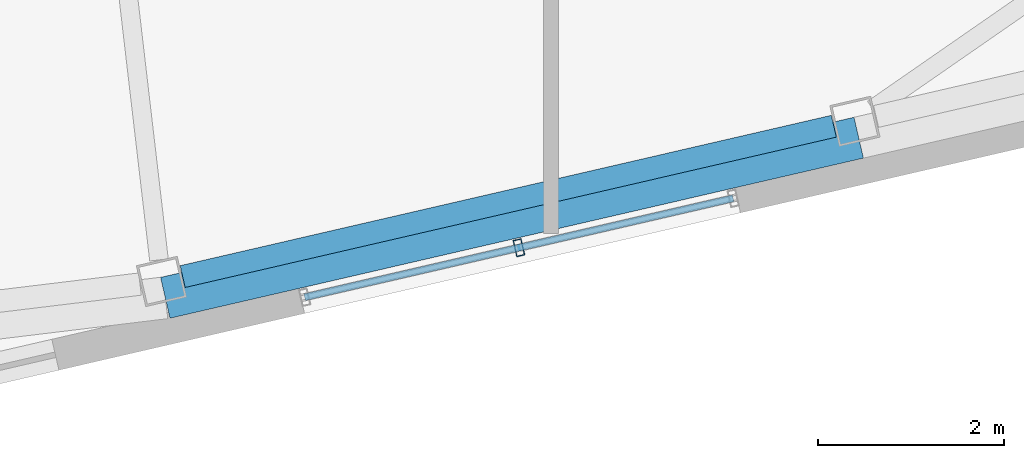
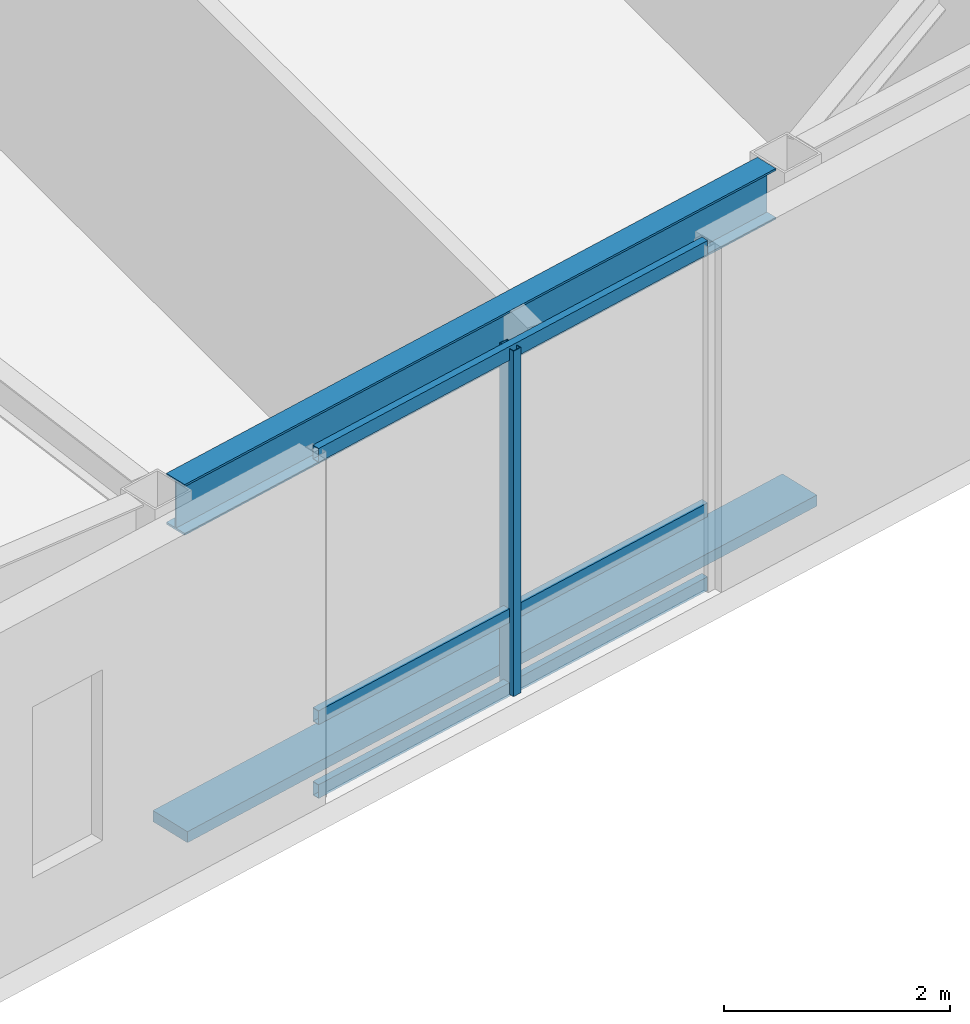
# One storey, part 9 of 22: 5 members, 1 beam, 1 element without a shape of its own.
"""IFC4 building model written with IfcOpenShell, lengths in metres."""

from ifc_helpers import new_model, si_unit, direction, frame, origin, origin_2d, place, context, subcontext, project, spatial, rectangle, hollow_rectangle, i_section, extrude, material, layer, layer_set, material_profile, profile_set, type_object, element, aggregate, save


model = new_model("IFC4")

# Units and contexts
model_context = context("Model", 3, precision=1e-05, world=origin(), true_north=direction((0.0, 1.0)))
body_context = subcontext(model_context, "Body", "Model", "MODEL_VIEW")
ifc_project = project(units=[si_unit("LENGTHUNIT", "METRE"), si_unit("AREAUNIT", "SQUARE_METRE"), si_unit("VOLUMEUNIT", "CUBIC_METRE"), si_unit("PLANEANGLEUNIT", "RADIAN"), si_unit("MASSUNIT", "GRAM", prefix="KILO")], contexts=[model_context])

# Site, building, storey
site_placement = place(None, origin())
site = spatial("IfcSite", under=ifc_project, at=site_placement, CompositionType="ELEMENT")
building_placement = place(site_placement, origin())
building = spatial("IfcBuilding", under=site, at=building_placement, Name="Tavrogorsk Clinical Tower", CompositionType="ELEMENT")
storey_placement = place(building_placement, frame((0.0, 0.0, 313.0)))
storey = spatial("IfcBuildingStorey", under=building, at=storey_placement, Name="L73", CompositionType="ELEMENT", Elevation=313.0)

# Member
ifc_material_1 = material(Name="Anodised aluminium alloy AW-6063", Category="aluminium")
ifc_material_profile_1 = material_profile(ifc_material_1, rectangle(XDim=0.449951171875, YDim=0.1201171875, at=origin_2d()), Name="ALU-SUNSHADE-450x120")
ifc_profile_set_1 = profile_set([ifc_material_profile_1], Name="Anodised aluminium alloy AW-6063")
member_type_1 = type_object("IfcMemberType", Name="ChicagoSunshade_450x120", PredefinedType="USERDEFINED", material=ifc_profile_set_1)
member_1_placement = place(storey_placement, frame((6.313232421875, -22.572509765625, 0.179931640625), z_axis=(0.97436370007, 0.224978621176, 0.0), x_axis=(-0.224978621176, 0.97436370007, 0.0)))
element("IfcMember", 1, at=member_1_placement, inside=storey, type_object=member_type_1, Name="L73 South Aluminium Sunshade S5", ObjectType="SUNSHADE", PredefinedType="USERDEFINED", context=body_context, shape_type="SweptSolid", body=[
    extrude(rectangle(XDim=0.449951171875, YDim=0.1201171875, at=origin_2d()), origin(), (0.0, 0.0, 1.0), 7.63427734375),
])

# Curtain wall, members
ifc_material_2 = material(Name="Anodised aluminium and triple IGU glazing", Category="aluminium")
ifc_layer = layer(ifc_material_2, 0.179931640625)
ifc_layer_set = layer_set([ifc_layer], Name="Anodised aluminium and triple IGU glazing")
curtain_wall_type = type_object("IfcCurtainWallType", Name="CW3_SouthSlot", PredefinedType="NOTDEFINED", material=ifc_layer_set)
curtain_wall_placement = place(storey_placement, origin())
curtain_wall = element("IfcCurtainWall", 2, at=curtain_wall_placement, inside=storey, type_object=curtain_wall_type, Name="L73 Curtain Wall CW-L73-S-SLOT-2", PredefinedType="NOTDEFINED")
ifc_material_3 = material(Name="Anodised aluminium alloy AW-6060", Category="aluminium")
ifc_material_profile_2 = material_profile(ifc_material_3, hollow_rectangle(XDim=0.090087890625, YDim=0.179931640625, WallThickness=0.00634765625, at=origin_2d()), Name="RHS-180x90x6.3")
ifc_profile_set_2 = profile_set([ifc_material_profile_2], Name="Anodised aluminium alloy AW-6060")
member_type_2 = type_object("IfcMemberType", Name="CwMullion_180x90", PredefinedType="MULLION", material=ifc_profile_set_2)
member_2_placement = place(storey_placement, frame((10.106689453125, -22.03515625, 0.0), z_axis=(0.0, 0.0, 1.0), x_axis=(0.974370057377, 0.224951086434, 0.0)))
member_2 = element("IfcMember", 3, at=member_2_placement, type_object=member_type_2, Name="CW-L73-S-SLOT-2 Mullion 2", PredefinedType="MULLION", context=body_context, shape_type="SweptSolid", body=[
    extrude(hollow_rectangle(XDim=0.090087890625, YDim=0.179931640625, WallThickness=0.00634765625, at=origin_2d()), origin(), (0.0, 0.0, 1.0), 3.739990234375),
])
ifc_material_4 = material(Name="Anodised aluminium alloy AW-6060", Category="aluminium")
ifc_material_profile_3 = material_profile(ifc_material_4, hollow_rectangle(XDim=0.074951171875, YDim=0.14990234375, WallThickness=0.0048828125, at=origin_2d()), Name="RHS-150x75x5")
ifc_profile_set_3 = profile_set([ifc_material_profile_3], Name="Anodised aluminium alloy AW-6060")
member_type_3 = type_object("IfcMemberType", Name="CwTransom_150x75", PredefinedType="USERDEFINED", material=ifc_profile_set_3)
member_3_placement = place(storey_placement, frame((7.80810546875, -22.56591796875, 0.050048828125), z_axis=(0.974372877948, 0.22493886885, 0.0), x_axis=(-0.22493886885, 0.974372877948, 0.0)))
member_3 = element("IfcMember", 4, at=member_3_placement, type_object=member_type_3, Name="CW-L73-S-SLOT-2 Transom 1", ObjectType="TRANSOM", PredefinedType="USERDEFINED", context=body_context, shape_type="SweptSolid", body=[
    extrude(hollow_rectangle(XDim=0.074951171875, YDim=0.14990234375, WallThickness=0.0048828125, at=origin_2d()), origin(), (0.0, 0.0, 1.0), 4.718017578125),
])
member_4_placement = place(storey_placement, frame((7.80810546875, -22.56591796875, 0.85009765625), z_axis=(0.974372877948, 0.22493886885, 0.0), x_axis=(-0.22493886885, 0.974372877948, 0.0)))
member_4 = element("IfcMember", 5, at=member_4_placement, type_object=member_type_3, Name="CW-L73-S-SLOT-2 Transom 2", ObjectType="TRANSOM", PredefinedType="USERDEFINED", context=body_context, shape_type="SweptSolid", body=[
    extrude(hollow_rectangle(XDim=0.074951171875, YDim=0.14990234375, WallThickness=0.0048828125, at=origin_2d()), origin(), (0.0, 0.0, 1.0), 4.718017578125),
])
member_5_placement = place(storey_placement, frame((7.80810546875, -22.56591796875, 3.68994140625), z_axis=(0.974372877948, 0.22493886885, 0.0), x_axis=(-0.22493886885, 0.974372877948, 0.0)))
member_5 = element("IfcMember", 6, at=member_5_placement, type_object=member_type_3, Name="CW-L73-S-SLOT-2 Transom 3", ObjectType="TRANSOM", PredefinedType="USERDEFINED", context=body_context, shape_type="SweptSolid", body=[
    extrude(hollow_rectangle(XDim=0.074951171875, YDim=0.14990234375, WallThickness=0.0048828125, at=origin_2d()), origin(), (0.0, 0.0, 1.0), 4.718017578125),
])
aggregate(curtain_wall, [member_2, member_3, member_4, member_5])

# Beam
ifc_material_5 = material(Name="Structural steel S390", Category="steel")
ifc_material_profile_4 = material_profile(ifc_material_5, i_section(OverallWidth=0.239990234375, OverallDepth=0.550048828125, WebThickness=0.013916015625, FlangeThickness=0.02197265625, at=origin_2d()), Name="B-550x240x14x22")
ifc_profile_set_4 = profile_set([ifc_material_profile_4], Name="Structural steel S390")
beam_type = type_object("IfcBeamType", Name="SpandrelBeam_B550", PredefinedType="SPANDREL", material=ifc_profile_set_4)
beam_placement = place(storey_placement, frame((6.499755859375, -22.344482421875, 3.465087890625), z_axis=(0.974369378592, 0.224954026551, 0.0), x_axis=(-0.224954026551, 0.974369378592, 0.0)))
element("IfcBeam", 7, at=beam_placement, inside=storey, type_object=beam_type, Name="L73 Perimeter Spandrel S5-S6", PredefinedType="SPANDREL", context=body_context, shape_type="SweptSolid", body=[
    extrude(i_section(OverallWidth=0.239990234375, OverallDepth=0.550048828125, WebThickness=0.013916015625, FlangeThickness=0.02197265625, at=origin_2d()), origin(), (0.0, 0.0, 1.0), 7.16845703125),
])

save(model, "model.ifc")
